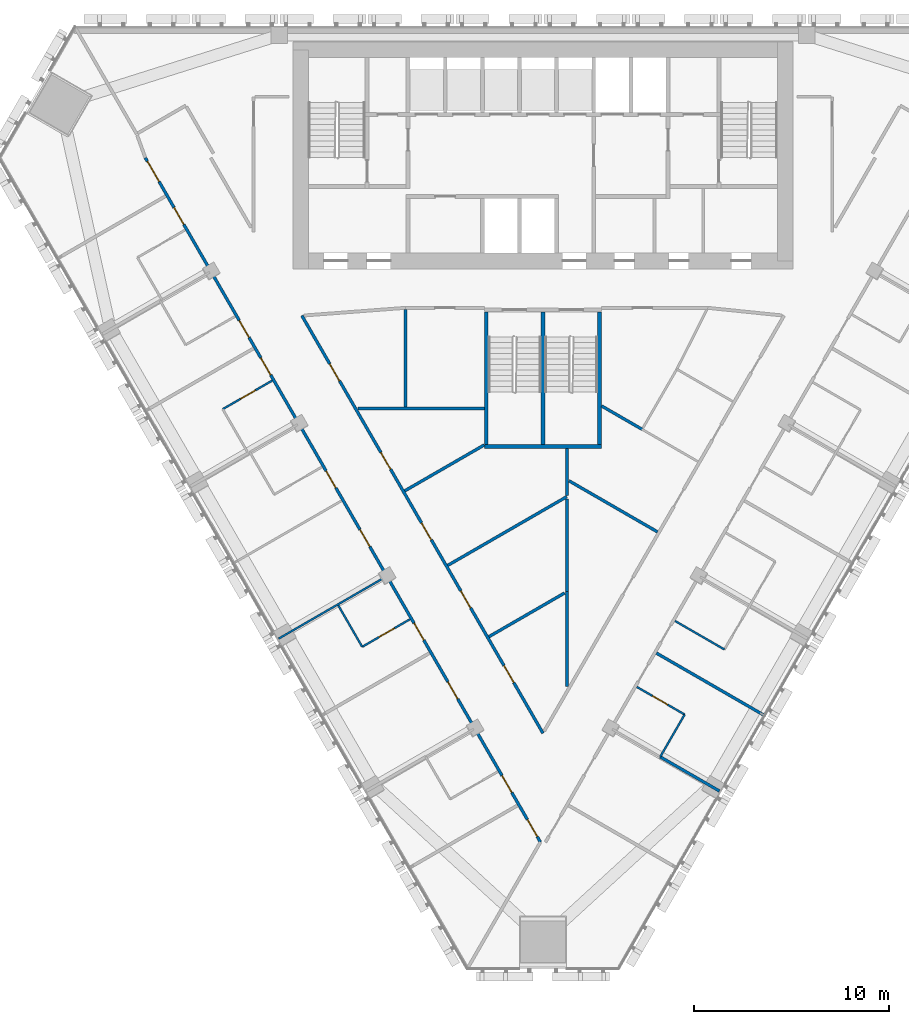
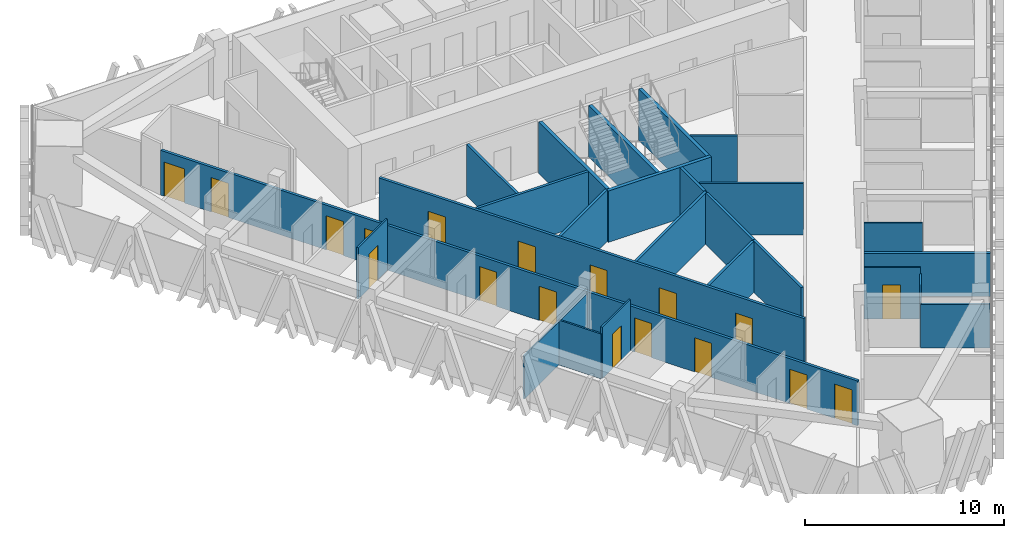
# One storey, part 9 of 16: 25 walls, 18 doors, 18 openings.
"""IFC4 building model written with IfcOpenShell, lengths in metres."""

from ifc_helpers import new_model, si_unit, direction, frame, frame_2d, origin, place, context, subcontext, project, spatial, rectangle, extrude, material, layer, layer_set, type_object, element, fill, save


model = new_model("IFC4")

# Units and contexts
model_context = context("Model", 3, precision=1e-05, world=origin(), true_north=direction((0.0, 1.0)))
body_context = subcontext(model_context, "Body", "Model", "MODEL_VIEW")
ifc_project = project(units=[si_unit("LENGTHUNIT", "METRE"), si_unit("AREAUNIT", "SQUARE_METRE"), si_unit("VOLUMEUNIT", "CUBIC_METRE"), si_unit("PLANEANGLEUNIT", "RADIAN"), si_unit("MASSUNIT", "GRAM", prefix="KILO")], contexts=[model_context])

# Site, building, storey
site_placement = place(None, origin())
site = spatial("IfcSite", under=ifc_project, at=site_placement, CompositionType="ELEMENT")
building_placement = place(site_placement, origin())
building = spatial("IfcBuilding", under=site, at=building_placement, Name="Altiplano Prism Tower", CompositionType="ELEMENT")
storey_placement = place(building_placement, frame((0.0, 0.0, 131.39990234375)))
storey = spatial("IfcBuildingStorey", under=building, at=storey_placement, Name="L33", CompositionType="ELEMENT", Elevation=131.39990234375)

# Wall, opening, door
ifc_material_1 = material(Name="Plasterboard on steel stud", Category="steel")
ifc_layer_1 = layer(ifc_material_1, 0.10009765625)
ifc_layer_set_1 = layer_set([ifc_layer_1], Name="Plasterboard on steel stud")
wall_type_1 = type_object("IfcWallType", Name="Partition 100 unit", PredefinedType="PARTITIONING", material=ifc_layer_set_1)
wall_1_placement = place(storey_placement, frame((68.6142578125, 85.41650390625, 0.0), z_axis=(0.0, 0.0, 1.0), x_axis=(0.86601045545, 0.500025890382, 0.0)))
wall_1 = element("IfcWall", 1, at=wall_1_placement, inside=storey, type_object=wall_type_1, Name="Partition P02 L33 041", PredefinedType="PARTITIONING", context=body_context, shape_type="SweptSolid", body=[
    extrude(rectangle(XDim=2.925048828125, YDim=0.10009765625, at=frame_2d((1.46240234375, 0.0))), origin(), (0.0, 0.0, 1.0), 3.150146484375),
])
opening_1_placement = place(wall_1_placement, frame((1.050048828125, 0.0, 0.0)))
opening_1 = element("IfcOpeningElement", 2, at=opening_1_placement, cuts=wall_1, Name="Opening D1191", PredefinedType="OPENING", context=body_context, shape_type="SweptSolid", body=[
    extrude(rectangle(XDim=0.89990234375, YDim=2.10009765625, at=frame_2d((0.449951171875, 1.050048828125))), frame((0.0, 0.060546875, 0.0), z_axis=(0.0, -1.0, 0.0), x_axis=(1.0, 0.0, 0.0)), (0.0, 0.0, 1.0), 0.12109375),
])
ifc_material_2 = material(Name="Timber", Category="wood")
door_type_1 = type_object("IfcDoorType", Name="Ensuite door 900 x 2100", OperationType="NOTDEFINED", PredefinedType="NOTDEFINED", material=ifc_material_2)
door_1_placement = place(opening_1_placement, origin())
door_1 = element("IfcDoor", 3, at=door_1_placement, inside=storey, type_object=door_type_1, Name="Door D1191", OperationType="SINGLE_SWING_LEFT", OverallHeight=2.10009765625, OverallWidth=0.89990234375, PredefinedType="NOTDEFINED", context=body_context, shape_type="SweptSolid", body=[
    extrude(rectangle(XDim=0.89990234375, YDim=2.10009765625, at=frame_2d((0.449951171875, 1.050048828125))), frame((0.0, 0.02490234375, 0.0), z_axis=(0.0, -1.0, 0.0), x_axis=(1.0, 0.0, 0.0)), (0.0, 0.0, 1.0), 0.050048828125),
])
fill(opening_1, door_1)

wall_2_placement = place(storey_placement, frame((78.197265625, 74.668212890625, 0.0), z_axis=(0.0, 0.0, 1.0), x_axis=(-0.865989837833, -0.500061596976, 0.0)))
wall_2 = element("IfcWall", 4, at=wall_2_placement, inside=storey, type_object=wall_type_1, Name="Partition P02 L33 048", PredefinedType="PARTITIONING", context=body_context, shape_type="SweptSolid", body=[
    extrude(rectangle(XDim=2.824951171875, YDim=0.10009765625, at=frame_2d((1.41259765625, 0.0))), origin(), (0.0, 0.0, 1.0), 3.150146484375),
])
opening_2_placement = place(wall_2_placement, frame((0.925048828125, 0.0, 0.0)))
opening_2 = element("IfcOpeningElement", 5, at=opening_2_placement, cuts=wall_2, Name="Opening D1196", PredefinedType="OPENING", context=body_context, shape_type="SweptSolid", body=[
    extrude(rectangle(XDim=0.89990234375, YDim=2.10009765625, at=frame_2d((0.449951171875, 1.050048828125))), frame((0.0, 0.060546875, 0.0), z_axis=(0.0, -1.0, 0.0), x_axis=(1.0, 0.0, 0.0)), (0.0, 0.0, 1.0), 0.12109375),
])
door_2_placement = place(opening_2_placement, origin())
door_2 = element("IfcDoor", 6, at=door_2_placement, inside=storey, type_object=door_type_1, Name="Door D1196", OperationType="SINGLE_SWING_LEFT", OverallHeight=2.10009765625, OverallWidth=0.89990234375, PredefinedType="NOTDEFINED", context=body_context, shape_type="SweptSolid", body=[
    extrude(rectangle(XDim=0.89990234375, YDim=2.10009765625, at=frame_2d((0.449951171875, 1.050048828125))), frame((0.0, 0.02490234375, 0.0), z_axis=(0.0, -1.0, 0.0), x_axis=(1.0, 0.0, 0.0)), (0.0, 0.0, 1.0), 0.050048828125),
])
fill(opening_2, door_2)

# Wall
wall_3_placement = place(storey_placement, frame((75.7509765625, 73.255615234375, 0.0), z_axis=(0.0, 0.0, 1.0), x_axis=(-0.500018594424, 0.866014668023, 0.0)))
element("IfcWall", 7, at=wall_3_placement, inside=storey, type_object=wall_type_1, Name="Partition P02 L33 049", PredefinedType="PARTITIONING", context=body_context, shape_type="SweptSolid", body=[
    extrude(rectangle(XDim=2.4501953125, YDim=0.10009765625, at=frame_2d((1.22509765625, 0.0))), origin(), (0.0, 0.0, 1.0), 2.75),
])

# Wall, opening, door
wall_4_placement = place(storey_placement, frame((89.802734375, 71.2041015625, 0.0), z_axis=(0.0, 0.0, 1.0), x_axis=(0.865989837833, -0.500061596976, 0.0)))
wall_4 = element("IfcWall", 8, at=wall_4_placement, inside=storey, type_object=wall_type_1, Name="Partition P02 L33 060", PredefinedType="PARTITIONING", context=body_context, shape_type="SweptSolid", body=[
    extrude(rectangle(XDim=2.824951171875, YDim=0.10009765625, at=frame_2d((1.41259765625, 0.0))), origin(), (0.0, 0.0, 1.0), 3.150146484375),
])
opening_3_placement = place(wall_4_placement, frame((0.925048828125, 0.0, 0.0)))
opening_3 = element("IfcOpeningElement", 9, at=opening_3_placement, cuts=wall_4, Name="Opening D1204", PredefinedType="OPENING", context=body_context, shape_type="SweptSolid", body=[
    extrude(rectangle(XDim=0.89990234375, YDim=2.10009765625, at=frame_2d((0.449951171875, 1.050048828125))), frame((0.0, 0.060546875, 0.0), z_axis=(0.0, -1.0, 0.0), x_axis=(1.0, 0.0, 0.0)), (0.0, 0.0, 1.0), 0.12109375),
])
door_3_placement = place(opening_3_placement, origin())
door_3 = element("IfcDoor", 10, at=door_3_placement, inside=storey, type_object=door_type_1, Name="Door D1204", OperationType="SINGLE_SWING_LEFT", OverallHeight=2.10009765625, OverallWidth=0.89990234375, PredefinedType="NOTDEFINED", context=body_context, shape_type="SweptSolid", body=[
    extrude(rectangle(XDim=0.89990234375, YDim=2.10009765625, at=frame_2d((0.449951171875, 1.050048828125))), frame((0.0, 0.02490234375, 0.0), z_axis=(0.0, -1.0, 0.0), x_axis=(1.0, 0.0, 0.0)), (0.0, 0.0, 1.0), 0.050048828125),
])
fill(opening_3, door_3)

# Walls
wall_5_placement = place(storey_placement, frame((92.2490234375, 69.79150390625, 0.0), z_axis=(0.0, 0.0, 1.0), x_axis=(-0.500004234368, -0.866022959057, 0.0)))
element("IfcWall", 11, at=wall_5_placement, inside=storey, type_object=wall_type_1, Name="Partition P02 L33 061", PredefinedType="PARTITIONING", context=body_context, shape_type="SweptSolid", body=[
    extrude(rectangle(XDim=2.5, YDim=0.10009765625, at=frame_2d((1.25, 0.0))), origin(), (0.0, 0.0, 1.0), 2.75),
])
wall_6_placement = place(storey_placement, frame((94.28564453125, 73.119140625, 0.0), z_axis=(0.0, 0.0, 1.0), x_axis=(-0.866025730634, 0.499999433879, 0.0)))
element("IfcWall", 12, at=wall_6_placement, inside=storey, type_object=wall_type_1, Name="Partition P02 L33 063", PredefinedType="PARTITIONING", context=body_context, shape_type="SweptSolid", body=[
    extrude(rectangle(XDim=2.9248046875, YDim=0.10009765625, at=frame_2d((1.46240234375, 0.0))), origin(), (0.0, 0.0, 1.0), 3.150146484375),
])
ifc_layer_2 = layer(ifc_material_1, 0.10009765625)
ifc_layer_set_2 = layer_set([ifc_layer_2], Name="Plasterboard on steel stud")
wall_type_2 = type_object("IfcWallType", Name="Partition 100 wet", PredefinedType="PARTITIONING", material=ifc_layer_set_2)
wall_7_placement = place(storey_placement, frame((71.4697265625, 73.670654296875, 0.0), z_axis=(0.0, 0.0, 1.0), x_axis=(0.866015887322, 0.500016482634, 0.0)))
element("IfcWall", 13, at=wall_7_placement, inside=storey, type_object=wall_type_2, Name="Partition P03 L33 047", PredefinedType="PARTITIONING", context=body_context, shape_type="SweptSolid", body=[
    extrude(rectangle(XDim=6.324951171875, YDim=0.10009765625, at=frame_2d((3.16259765625, 0.0))), origin(), (0.0, 0.0, 1.0), 2.650146484375),
])

# Wall, openings, doors
ifc_layer_3 = layer(ifc_material_1, 0.14990234375)
ifc_layer_set_3 = layer_set([ifc_layer_3], Name="Plasterboard on steel stud")
wall_type_3 = type_object("IfcWallType", Name="Partition 150 corridor", PredefinedType="PARTITIONING", material=ifc_layer_set_3)
wall_8_placement = place(storey_placement, frame((85.0, 68.835693359375, 0.0), z_axis=(0.0, 0.0, 1.0), x_axis=(-0.500001726771, 0.86602440683, 0.0)))
wall_8 = element("IfcWall", 14, at=wall_8_placement, inside=storey, type_object=wall_type_3, Name="Partition P06 L33 002", PredefinedType="PARTITIONING", context=body_context, shape_type="SweptSolid", body=[
    extrude(rectangle(XDim=24.66943359375, YDim=0.14990234375, at=frame_2d((12.334716796875, 0.0))), origin(), (0.0, 0.0, 1.0), 3.150146484375),
])
opening_4_placement = place(wall_8_placement, frame((2.989990234375, 0.0, 0.0)))
opening_4 = element("IfcOpeningElement", 15, at=opening_4_placement, cuts=wall_8, Name="Opening D1181", PredefinedType="OPENING", context=body_context, shape_type="SweptSolid", body=[
    extrude(rectangle(XDim=1.0, YDim=2.10009765625, at=frame_2d((0.5, 1.050048828125))), frame((0.0, 0.08544921875, 0.0), z_axis=(0.0, -1.0, 0.0), x_axis=(1.0, 0.0, 0.0)), (0.0, 0.0, 1.0), 0.1708984375),
])
opening_5_placement = place(wall_8_placement, frame((15.595947265625, 0.0, 0.0)))
opening_5 = element("IfcOpeningElement", 16, at=opening_5_placement, cuts=wall_8, Name="Opening D1182", PredefinedType="OPENING", context=body_context, shape_type="SweptSolid", body=[
    extrude(rectangle(XDim=1.0, YDim=2.10009765625, at=frame_2d((0.5, 1.050048828125))), frame((0.0, 0.08544921875, 0.0), z_axis=(0.0, -1.0, 0.0), x_axis=(1.0, 0.0, 0.0)), (0.0, 0.0, 1.0), 0.1708984375),
])
opening_6_placement = place(wall_8_placement, frame((20.822021484375, 0.0, 0.0)))
opening_6 = element("IfcOpeningElement", 17, at=opening_6_placement, cuts=wall_8, Name="Opening D1183", PredefinedType="OPENING", context=body_context, shape_type="SweptSolid", body=[
    extrude(rectangle(XDim=1.0, YDim=2.10009765625, at=frame_2d((0.5, 1.050048828125))), frame((0.0, 0.08544921875, 0.0), z_axis=(0.0, -1.0, 0.0), x_axis=(1.0, 0.0, 0.0)), (0.0, 0.0, 1.0), 0.1708984375),
])
opening_7_placement = place(wall_8_placement, frame((11.429931640625, 0.0, 0.0)))
opening_7 = element("IfcOpeningElement", 18, at=opening_7_placement, cuts=wall_8, Name="Opening D1218", PredefinedType="OPENING", context=body_context, shape_type="SweptSolid", body=[
    extrude(rectangle(XDim=1.0, YDim=2.10009765625, at=frame_2d((0.5, 1.050048828125))), frame((0.0, 0.08544921875, 0.0), z_axis=(0.0, -1.0, 0.0), x_axis=(1.0, 0.0, 0.0)), (0.0, 0.0, 1.0), 0.1708984375),
])
opening_8_placement = place(wall_8_placement, frame((7.409912109375, 0.0, 0.0)))
opening_8 = element("IfcOpeningElement", 19, at=opening_8_placement, cuts=wall_8, Name="Opening D1220", PredefinedType="OPENING", context=body_context, shape_type="SweptSolid", body=[
    extrude(rectangle(XDim=1.0, YDim=2.10009765625, at=frame_2d((0.5, 1.050048828125))), frame((0.0, 0.08544921875, 0.0), z_axis=(0.0, -1.0, 0.0), x_axis=(1.0, 0.0, 0.0)), (0.0, 0.0, 1.0), 0.1708984375),
])
door_type_2 = type_object("IfcDoorType", Name="Room door 1000 x 2100", OperationType="NOTDEFINED", PredefinedType="NOTDEFINED", material=ifc_material_2)
door_4_placement = place(opening_7_placement, origin())
door_4 = element("IfcDoor", 20, at=door_4_placement, inside=storey, type_object=door_type_2, Name="Door D1218", OperationType="SINGLE_SWING_RIGHT", OverallHeight=2.10009765625, OverallWidth=1.0, PredefinedType="NOTDEFINED", context=body_context, shape_type="SweptSolid", body=[
    extrude(rectangle(XDim=1.0, YDim=2.10009765625, at=frame_2d((0.5, 1.050048828125))), frame((0.0, 0.02490234375, 0.0), z_axis=(0.0, -1.0, 0.0), x_axis=(1.0, 0.0, 0.0)), (0.0, 0.0, 1.0), 0.050048828125),
])
fill(opening_7, door_4)
door_5_placement = place(opening_8_placement, origin())
door_5 = element("IfcDoor", 21, at=door_5_placement, inside=storey, type_object=door_type_2, Name="Door D1220", OperationType="SINGLE_SWING_RIGHT", OverallHeight=2.10009765625, OverallWidth=1.0, PredefinedType="NOTDEFINED", context=body_context, shape_type="SweptSolid", body=[
    extrude(rectangle(XDim=1.0, YDim=2.10009765625, at=frame_2d((0.5, 1.050048828125))), frame((0.0, 0.02490234375, 0.0), z_axis=(0.0, -1.0, 0.0), x_axis=(1.0, 0.0, 0.0)), (0.0, 0.0, 1.0), 0.050048828125),
])
fill(opening_8, door_5)
door_type_3 = type_object("IfcDoorType", Name="Store door 1000 x 2100", OperationType="NOTDEFINED", PredefinedType="NOTDEFINED", material=ifc_material_2)
door_6_placement = place(opening_4_placement, origin())
door_6 = element("IfcDoor", 22, at=door_6_placement, inside=storey, type_object=door_type_3, Name="Door D1181", OperationType="SINGLE_SWING_RIGHT", OverallHeight=2.10009765625, OverallWidth=1.0, PredefinedType="NOTDEFINED", context=body_context, shape_type="SweptSolid", body=[
    extrude(rectangle(XDim=1.0, YDim=2.10009765625, at=frame_2d((0.5, 1.050048828125))), frame((0.0, 0.02490234375, 0.0), z_axis=(0.0, -1.0, 0.0), x_axis=(1.0, 0.0, 0.0)), (0.0, 0.0, 1.0), 0.050048828125),
])
fill(opening_4, door_6)
door_7_placement = place(opening_5_placement, origin())
door_7 = element("IfcDoor", 23, at=door_7_placement, inside=storey, type_object=door_type_3, Name="Door D1182", OperationType="SINGLE_SWING_LEFT", OverallHeight=2.10009765625, OverallWidth=1.0, PredefinedType="NOTDEFINED", context=body_context, shape_type="SweptSolid", body=[
    extrude(rectangle(XDim=1.0, YDim=2.10009765625, at=frame_2d((0.5, 1.050048828125))), frame((0.0, 0.02490234375, 0.0), z_axis=(0.0, -1.0, 0.0), x_axis=(1.0, 0.0, 0.0)), (0.0, 0.0, 1.0), 0.050048828125),
])
fill(opening_5, door_7)
door_8_placement = place(opening_6_placement, origin())
door_8 = element("IfcDoor", 24, at=door_8_placement, inside=storey, type_object=door_type_3, Name="Door D1183", OperationType="SINGLE_SWING_LEFT", OverallHeight=2.10009765625, OverallWidth=1.0, PredefinedType="NOTDEFINED", context=body_context, shape_type="SweptSolid", body=[
    extrude(rectangle(XDim=1.0, YDim=2.10009765625, at=frame_2d((0.5, 1.050048828125))), frame((0.0, 0.02490234375, 0.0), z_axis=(0.0, -1.0, 0.0), x_axis=(1.0, 0.0, 0.0)), (0.0, 0.0, 1.0), 0.050048828125),
])
fill(opening_6, door_8)

wall_9_placement = place(storey_placement, frame((64.65576171875, 98.27294921875, 0.0), z_axis=(0.0, 0.0, 1.0), x_axis=(0.500001784794, -0.866024373331, 0.0)))
wall_9 = element("IfcWall", 25, at=wall_9_placement, inside=storey, type_object=wall_type_3, Name="Partition P06 L33 006", PredefinedType="PARTITIONING", context=body_context, shape_type="SweptSolid", body=[
    extrude(rectangle(XDim=40.426025390625, YDim=0.14990234375, at=frame_2d((20.212890625, 0.0))), origin(), (0.0, 0.0, 1.0), 2.75),
])
opening_9_placement = place(wall_9_placement, frame((0.199951171875, 0.0, 0.0)))
opening_9 = element("IfcOpeningElement", 26, at=opening_9_placement, cuts=wall_9, Name="Opening D1185", PredefinedType="OPENING", context=body_context, shape_type="SweptSolid", body=[
    extrude(rectangle(XDim=1.199951171875, YDim=2.10009765625, at=frame_2d((0.60009765625, 1.050048828125))), frame((0.0, 0.08544921875, 0.0), z_axis=(0.0, -1.0, 0.0), x_axis=(1.0, 0.0, 0.0)), (0.0, 0.0, 1.0), 0.1708984375),
])
opening_10_placement = place(wall_9_placement, frame((2.93310546875, 0.0, 0.0)))
opening_10 = element("IfcOpeningElement", 27, at=opening_10_placement, cuts=wall_9, Name="Opening D1186", PredefinedType="OPENING", context=body_context, shape_type="SweptSolid", body=[
    extrude(rectangle(XDim=1.0, YDim=2.10009765625, at=frame_2d((0.5, 1.050048828125))), frame((0.0, 0.08544921875, 0.0), z_axis=(0.0, -1.0, 0.0), x_axis=(1.0, 0.0, 0.0)), (0.0, 0.0, 1.0), 0.1708984375),
])
opening_11_placement = place(wall_9_placement, frame((9.60791015625, 0.0, 0.0)))
opening_11 = element("IfcOpeningElement", 28, at=opening_11_placement, cuts=wall_9, Name="Opening D1188", PredefinedType="OPENING", context=body_context, shape_type="SweptSolid", body=[
    extrude(rectangle(XDim=1.0, YDim=2.10009765625, at=frame_2d((0.5, 1.050048828125))), frame((0.0, 0.08544921875, 0.0), z_axis=(0.0, -1.0, 0.0), x_axis=(1.0, 0.0, 0.0)), (0.0, 0.0, 1.0), 0.1708984375),
])
opening_12_placement = place(wall_9_placement, frame((11.818115234375, 0.0, 0.0)))
opening_12 = element("IfcOpeningElement", 29, at=opening_12_placement, cuts=wall_9, Name="Opening D1190", PredefinedType="OPENING", context=body_context, shape_type="SweptSolid", body=[
    extrude(rectangle(XDim=1.0, YDim=2.10009765625, at=frame_2d((0.5, 1.050048828125))), frame((0.0, 0.08544921875, 0.0), z_axis=(0.0, -1.0, 0.0), x_axis=(1.0, 0.0, 0.0)), (0.0, 0.0, 1.0), 0.1708984375),
])
opening_13_placement = place(wall_9_placement, frame((18.492919921875, 0.0, 0.0)))
opening_13 = element("IfcOpeningElement", 30, at=opening_13_placement, cuts=wall_9, Name="Opening D1192", PredefinedType="OPENING", context=body_context, shape_type="SweptSolid", body=[
    extrude(rectangle(XDim=1.0, YDim=2.10009765625, at=frame_2d((0.5, 1.050048828125))), frame((0.0, 0.08544921875, 0.0), z_axis=(0.0, -1.0, 0.0), x_axis=(1.0, 0.0, 0.0)), (0.0, 0.0, 1.0), 0.1708984375),
])
opening_14_placement = place(wall_9_placement, frame((21.962890625, 0.0, 0.0)))
opening_14 = element("IfcOpeningElement", 31, at=opening_14_placement, cuts=wall_9, Name="Opening D1194", PredefinedType="OPENING", context=body_context, shape_type="SweptSolid", body=[
    extrude(rectangle(XDim=1.0, YDim=2.10009765625, at=frame_2d((0.5, 1.050048828125))), frame((0.0, 0.08544921875, 0.0), z_axis=(0.0, -1.0, 0.0), x_axis=(1.0, 0.0, 0.0)), (0.0, 0.0, 1.0), 0.1708984375),
])
opening_15_placement = place(wall_9_placement, frame((27.492919921875, 0.0, 0.0)))
opening_15 = element("IfcOpeningElement", 32, at=opening_15_placement, cuts=wall_9, Name="Opening D1195", PredefinedType="OPENING", context=body_context, shape_type="SweptSolid", body=[
    extrude(rectangle(XDim=1.0, YDim=2.10009765625, at=frame_2d((0.5, 1.050048828125))), frame((0.0, 0.08544921875, 0.0), z_axis=(0.0, -1.0, 0.0), x_axis=(1.0, 0.0, 0.0)), (0.0, 0.0, 1.0), 0.1708984375),
])
opening_16_placement = place(wall_9_placement, frame((30.962890625, 0.0, 0.0)))
opening_16 = element("IfcOpeningElement", 33, at=opening_16_placement, cuts=wall_9, Name="Opening D1197", PredefinedType="OPENING", context=body_context, shape_type="SweptSolid", body=[
    extrude(rectangle(XDim=1.0, YDim=2.10009765625, at=frame_2d((0.5, 1.050048828125))), frame((0.0, 0.08544921875, 0.0), z_axis=(0.0, -1.0, 0.0), x_axis=(1.0, 0.0, 0.0)), (0.0, 0.0, 1.0), 0.1708984375),
])
opening_17_placement = place(wall_9_placement, frame((36.492919921875, 0.0, 0.0)))
opening_17 = element("IfcOpeningElement", 34, at=opening_17_placement, cuts=wall_9, Name="Opening D1198", PredefinedType="OPENING", context=body_context, shape_type="SweptSolid", body=[
    extrude(rectangle(XDim=1.0, YDim=2.10009765625, at=frame_2d((0.5, 1.050048828125))), frame((0.0, 0.08544921875, 0.0), z_axis=(0.0, -1.0, 0.0), x_axis=(1.0, 0.0, 0.0)), (0.0, 0.0, 1.0), 0.1708984375),
])
opening_18_placement = place(wall_9_placement, frame((39.10107421875, 0.0, 0.0)))
opening_18 = element("IfcOpeningElement", 35, at=opening_18_placement, cuts=wall_9, Name="Opening D1200", PredefinedType="OPENING", context=body_context, shape_type="SweptSolid", body=[
    extrude(rectangle(XDim=1.0, YDim=2.10009765625, at=frame_2d((0.5, 1.050048828125))), frame((0.0, 0.08544921875, 0.0), z_axis=(0.0, -1.0, 0.0), x_axis=(1.0, 0.0, 0.0)), (0.0, 0.0, 1.0), 0.1708984375),
])
door_type_4 = type_object("IfcDoorType", Name="Bedroom entrance door 1000 x 2100", OperationType="NOTDEFINED", PredefinedType="NOTDEFINED", material=ifc_material_2)
door_9_placement = place(opening_10_placement, origin())
door_9 = element("IfcDoor", 36, at=door_9_placement, inside=storey, type_object=door_type_4, Name="Door D1186", OperationType="SINGLE_SWING_RIGHT", OverallHeight=2.10009765625, OverallWidth=1.0, PredefinedType="NOTDEFINED", context=body_context, shape_type="SweptSolid", body=[
    extrude(rectangle(XDim=1.0, YDim=2.10009765625, at=frame_2d((0.5, 1.050048828125))), frame((0.0, 0.02490234375, 0.0), z_axis=(0.0, -1.0, 0.0), x_axis=(1.0, 0.0, 0.0)), (0.0, 0.0, 1.0), 0.050048828125),
])
fill(opening_10, door_9)
door_10_placement = place(opening_11_placement, origin())
door_10 = element("IfcDoor", 37, at=door_10_placement, inside=storey, type_object=door_type_4, Name="Door D1188", OperationType="SINGLE_SWING_RIGHT", OverallHeight=2.10009765625, OverallWidth=1.0, PredefinedType="NOTDEFINED", context=body_context, shape_type="SweptSolid", body=[
    extrude(rectangle(XDim=1.0, YDim=2.10009765625, at=frame_2d((0.5, 1.050048828125))), frame((0.0, 0.02490234375, 0.0), z_axis=(0.0, -1.0, 0.0), x_axis=(1.0, 0.0, 0.0)), (0.0, 0.0, 1.0), 0.050048828125),
])
fill(opening_11, door_10)
door_11_placement = place(opening_12_placement, origin())
door_11 = element("IfcDoor", 38, at=door_11_placement, inside=storey, type_object=door_type_4, Name="Door D1190", OperationType="SINGLE_SWING_LEFT", OverallHeight=2.10009765625, OverallWidth=1.0, PredefinedType="NOTDEFINED", context=body_context, shape_type="SweptSolid", body=[
    extrude(rectangle(XDim=1.0, YDim=2.10009765625, at=frame_2d((0.5, 1.050048828125))), frame((0.0, 0.02490234375, 0.0), z_axis=(0.0, -1.0, 0.0), x_axis=(1.0, 0.0, 0.0)), (0.0, 0.0, 1.0), 0.050048828125),
])
fill(opening_12, door_11)
door_12_placement = place(opening_13_placement, origin())
door_12 = element("IfcDoor", 39, at=door_12_placement, inside=storey, type_object=door_type_4, Name="Door D1192", OperationType="SINGLE_SWING_LEFT", OverallHeight=2.10009765625, OverallWidth=1.0, PredefinedType="NOTDEFINED", context=body_context, shape_type="SweptSolid", body=[
    extrude(rectangle(XDim=1.0, YDim=2.10009765625, at=frame_2d((0.5, 1.050048828125))), frame((0.0, 0.02490234375, 0.0), z_axis=(0.0, -1.0, 0.0), x_axis=(1.0, 0.0, 0.0)), (0.0, 0.0, 1.0), 0.050048828125),
])
fill(opening_13, door_12)
door_13_placement = place(opening_15_placement, origin())
door_13 = element("IfcDoor", 40, at=door_13_placement, inside=storey, type_object=door_type_4, Name="Door D1195", OperationType="SINGLE_SWING_RIGHT", OverallHeight=2.10009765625, OverallWidth=1.0, PredefinedType="NOTDEFINED", context=body_context, shape_type="SweptSolid", body=[
    extrude(rectangle(XDim=1.0, YDim=2.10009765625, at=frame_2d((0.5, 1.050048828125))), frame((0.0, 0.02490234375, 0.0), z_axis=(0.0, -1.0, 0.0), x_axis=(1.0, 0.0, 0.0)), (0.0, 0.0, 1.0), 0.050048828125),
])
fill(opening_15, door_13)
door_14_placement = place(opening_17_placement, origin())
door_14 = element("IfcDoor", 41, at=door_14_placement, inside=storey, type_object=door_type_4, Name="Door D1198", OperationType="SINGLE_SWING_RIGHT", OverallHeight=2.10009765625, OverallWidth=1.0, PredefinedType="NOTDEFINED", context=body_context, shape_type="SweptSolid", body=[
    extrude(rectangle(XDim=1.0, YDim=2.10009765625, at=frame_2d((0.5, 1.050048828125))), frame((0.0, 0.02490234375, 0.0), z_axis=(0.0, -1.0, 0.0), x_axis=(1.0, 0.0, 0.0)), (0.0, 0.0, 1.0), 0.050048828125),
])
fill(opening_17, door_14)
door_15_placement = place(opening_14_placement, origin())
door_15 = element("IfcDoor", 42, at=door_15_placement, inside=storey, type_object=door_type_2, Name="Door D1194", OperationType="SINGLE_SWING_RIGHT", OverallHeight=2.10009765625, OverallWidth=1.0, PredefinedType="NOTDEFINED", context=body_context, shape_type="SweptSolid", body=[
    extrude(rectangle(XDim=1.0, YDim=2.10009765625, at=frame_2d((0.5, 1.050048828125))), frame((0.0, 0.02490234375, 0.0), z_axis=(0.0, -1.0, 0.0), x_axis=(1.0, 0.0, 0.0)), (0.0, 0.0, 1.0), 0.050048828125),
])
fill(opening_14, door_15)
door_16_placement = place(opening_16_placement, origin())
door_16 = element("IfcDoor", 43, at=door_16_placement, inside=storey, type_object=door_type_2, Name="Door D1197", OperationType="SINGLE_SWING_RIGHT", OverallHeight=2.10009765625, OverallWidth=1.0, PredefinedType="NOTDEFINED", context=body_context, shape_type="SweptSolid", body=[
    extrude(rectangle(XDim=1.0, YDim=2.10009765625, at=frame_2d((0.5, 1.050048828125))), frame((0.0, 0.02490234375, 0.0), z_axis=(0.0, -1.0, 0.0), x_axis=(1.0, 0.0, 0.0)), (0.0, 0.0, 1.0), 0.050048828125),
])
fill(opening_16, door_16)
door_17_placement = place(opening_18_placement, origin())
door_17 = element("IfcDoor", 44, at=door_17_placement, inside=storey, type_object=door_type_2, Name="Door D1200", OperationType="SINGLE_SWING_LEFT", OverallHeight=2.10009765625, OverallWidth=1.0, PredefinedType="NOTDEFINED", context=body_context, shape_type="SweptSolid", body=[
    extrude(rectangle(XDim=1.0, YDim=2.10009765625, at=frame_2d((0.5, 1.050048828125))), frame((0.0, 0.02490234375, 0.0), z_axis=(0.0, -1.0, 0.0), x_axis=(1.0, 0.0, 0.0)), (0.0, 0.0, 1.0), 0.050048828125),
])
fill(opening_18, door_17)
door_type_5 = type_object("IfcDoorType", Name="Shared room door 1200 x 2100", OperationType="NOTDEFINED", PredefinedType="NOTDEFINED", material=ifc_material_2)
door_18_placement = place(opening_9_placement, origin())
door_18 = element("IfcDoor", 45, at=door_18_placement, inside=storey, type_object=door_type_5, Name="Door D1185", OperationType="SINGLE_SWING_RIGHT", OverallHeight=2.10009765625, OverallWidth=1.199951171875, PredefinedType="NOTDEFINED", context=body_context, shape_type="SweptSolid", body=[
    extrude(rectangle(XDim=1.199951171875, YDim=2.10009765625, at=frame_2d((0.60009765625, 1.050048828125))), frame((0.0, 0.02490234375, 0.0), z_axis=(0.0, -1.0, 0.0), x_axis=(1.0, 0.0, 0.0)), (0.0, 0.0, 1.0), 0.050048828125),
])
fill(opening_9, door_18)

# Walls
ifc_layer_4 = layer(ifc_material_1, 0.14990234375)
ifc_layer_set_4 = layer_set([ifc_layer_4], Name="Plasterboard on steel stud")
wall_type_4 = type_object("IfcWallType", Name="Partition 150 party", PredefinedType="PARTITIONING", material=ifc_layer_set_4)
wall_10_placement = place(storey_placement, frame((86.221923828125, 71.23193359375, 0.0), z_axis=(0.0, 0.0, 1.0), x_axis=(0.0, 1.0, 0.0)))
element("IfcWall", 46, at=wall_10_placement, inside=storey, type_object=wall_type_4, Name="Partition P01 L33 026", PredefinedType="PARTITIONING", context=body_context, shape_type="SweptSolid", body=[
    extrude(rectangle(XDim=4.8642578125, YDim=0.14990234375, at=frame_2d((2.43212890625, 0.0))), origin(), (0.0, 0.0, 1.0), 3.150146484375),
])
wall_11_placement = place(storey_placement, frame((86.109375, 76.01123046875, 0.0), z_axis=(0.0, 0.0, 1.0), x_axis=(-0.866024728453, -0.500001169707, 0.0)))
element("IfcWall", 47, at=wall_11_placement, inside=storey, type_object=wall_type_4, Name="Partition P01 L33 027", PredefinedType="PARTITIONING", context=body_context, shape_type="SweptSolid", body=[
    extrude(rectangle(XDim=4.4736328125, YDim=0.14990234375, at=frame_2d((2.23681640625, 0.0))), origin(), (0.0, 0.0, 1.0), 3.150146484375),
])
wall_12_placement = place(storey_placement, frame((82.0, 85.45068359375, 0.0), z_axis=(0.0, 0.0, 1.0), x_axis=(-1.0, 0.0, 0.0)))
element("IfcWall", 48, at=wall_12_placement, inside=storey, type_object=wall_type_4, Name="Partition P01 L33 028", PredefinedType="PARTITIONING", context=body_context, shape_type="SweptSolid", body=[
    extrude(rectangle(XDim=6.462646484375, YDim=0.14990234375, at=frame_2d((3.2314453125, 0.0))), origin(), (0.0, 0.0, 1.0), 3.150146484375),
])
wall_13_placement = place(storey_placement, frame((77.927734375, 81.235107421875, 0.0), z_axis=(0.0, 0.0, 1.0), x_axis=(0.866029956157, 0.499992114976, 0.0)))
element("IfcWall", 49, at=wall_13_placement, inside=storey, type_object=wall_type_4, Name="Partition P01 L33 029", PredefinedType="PARTITIONING", context=body_context, shape_type="SweptSolid", body=[
    extrude(rectangle(XDim=4.7021484375, YDim=0.14990234375, at=frame_2d((2.35107421875, 0.0))), origin(), (0.0, 0.0, 1.0), 3.150146484375),
])
wall_14_placement = place(storey_placement, frame((77.958984375, 85.525634765625, 0.0), z_axis=(0.0, 0.0, 1.0), x_axis=(0.0, 1.0, 0.0)))
element("IfcWall", 50, at=wall_14_placement, inside=storey, type_object=wall_type_4, Name="Partition P01 L33 030", PredefinedType="PARTITIONING", context=body_context, shape_type="SweptSolid", body=[
    extrude(rectangle(XDim=4.992431640625, YDim=0.14990234375, at=frame_2d((2.49609375, 0.0))), origin(), (0.0, 0.0, 1.0), 3.150146484375),
])
wall_15_placement = place(storey_placement, frame((94.0302734375, 65.87646484375, 0.0), z_axis=(0.0, 0.0, 1.0), x_axis=(-0.866036909293, 0.499980071345, 0.0)))
element("IfcWall", 51, at=wall_15_placement, inside=storey, type_object=wall_type_4, Name="Partition P01 L33 058", PredefinedType="PARTITIONING", context=body_context, shape_type="SweptSolid", body=[
    extrude(rectangle(XDim=3.500244140625, YDim=0.14990234375, at=frame_2d((1.75, 0.0))), origin(), (0.0, 0.0, 1.0), 2.650146484375),
])
wall_16_placement = place(storey_placement, frame((96.2978515625, 69.763427734375, 0.0), z_axis=(0.0, 0.0, 1.0), x_axis=(-0.866025401434, 0.500000004071, 0.0)))
element("IfcWall", 52, at=wall_16_placement, inside=storey, type_object=wall_type_4, Name="Partition P01 L33 062", PredefinedType="PARTITIONING", context=body_context, shape_type="SweptSolid", body=[
    extrude(rectangle(XDim=6.34521484375, YDim=0.14990234375, at=frame_2d((3.172607421875, 0.0))), origin(), (0.0, 0.0, 1.0), 2.650146484375),
])
wall_17_placement = place(storey_placement, frame((80.129150390625, 77.42236328125, 0.0), z_axis=(0.0, 0.0, 1.0), x_axis=(0.866030712881, 0.499990804263, 0.0)))
element("IfcWall", 53, at=wall_17_placement, inside=storey, type_object=wall_type_4, Name="Partition P01 L33 079", PredefinedType="PARTITIONING", context=body_context, shape_type="SweptSolid", body=[
    extrude(rectangle(XDim=7.035400390625, YDim=0.14990234375, at=frame_2d((3.517578125, 0.0))), origin(), (0.0, 0.0, 1.0), 3.150146484375),
])
wall_18_placement = place(storey_placement, frame((86.221923828125, 81.0048828125, 0.0), z_axis=(0.0, 0.0, 1.0), x_axis=(0.0, 1.0, 0.0)))
element("IfcWall", 54, at=wall_18_placement, inside=storey, type_object=wall_type_4, Name="Partition P01 L33 080", PredefinedType="PARTITIONING", context=body_context, shape_type="SweptSolid", body=[
    extrude(rectangle(XDim=2.39501953125, YDim=0.14990234375, at=frame_2d((1.197509765625, 0.0))), origin(), (0.0, 0.0, 1.0), 3.150146484375),
])
wall_19_placement = place(storey_placement, frame((86.221923828125, 80.81005859375, 0.0), z_axis=(0.0, 0.0, 1.0), x_axis=(0.0, -1.0, 0.0)))
element("IfcWall", 55, at=wall_19_placement, inside=storey, type_object=wall_type_4, Name="Partition P01 L33 081", PredefinedType="PARTITIONING", context=body_context, shape_type="SweptSolid", body=[
    extrude(rectangle(XDim=4.73388671875, YDim=0.14990234375, at=frame_2d((2.366943359375, 0.0))), origin(), (0.0, 0.0, 1.0), 3.150146484375),
])
wall_20_placement = place(storey_placement, frame((90.8603515625, 79.135986328125, 0.0), z_axis=(0.0, 0.0, 1.0), x_axis=(-0.866023771128, 0.500002827834, 0.0)))
element("IfcWall", 56, at=wall_20_placement, inside=storey, type_object=wall_type_4, Name="Partition P01 L33 082", PredefinedType="PARTITIONING", context=body_context, shape_type="SweptSolid", body=[
    extrude(rectangle(XDim=5.22607421875, YDim=0.14990234375, at=frame_2d((2.613037109375, 0.0))), origin(), (0.0, 0.0, 1.0), 3.150146484375),
])
wall_21_placement = place(storey_placement, frame((90.073486328125, 84.383056640625, 0.0), z_axis=(0.0, 0.0, 1.0), x_axis=(-0.866044647487, 0.499966667447, 0.0)))
element("IfcWall", 57, at=wall_21_placement, inside=storey, type_object=wall_type_4, Name="Partition P01 L33 083", PredefinedType="PARTITIONING", context=body_context, shape_type="SweptSolid", body=[
    extrude(rectangle(XDim=2.394287109375, YDim=0.14990234375, at=frame_2d((1.197265625, 0.0))), origin(), (0.0, 0.0, 1.0), 3.150146484375),
])
ifc_material_3 = material(Name="Concrete C60/75", Category="concrete")
ifc_layer_5 = layer(ifc_material_3, 0.199951171875)
ifc_layer_set_5 = layer_set([ifc_layer_5], Name="Concrete C60/75")
wall_type_5 = type_object("IfcWallType", Name="Stair wall 200", PredefinedType="SOLIDWALL", material=ifc_layer_set_5)
wall_22_placement = place(storey_placement, frame((82.0, 83.5, 0.0), z_axis=(0.0, 0.0, 1.0), x_axis=(1.0, 0.0, 0.0)))
element("IfcWall", 58, at=wall_22_placement, inside=storey, type_object=wall_type_5, Name="Stair 3 wall south L33", PredefinedType="SOLIDWALL", context=body_context, shape_type="SweptSolid", body=[
    extrude(rectangle(XDim=6.0, YDim=0.199951171875, at=frame_2d((3.0, 0.0))), origin(), (0.0, 0.0, 1.0), 3.150146484375),
])
for number, where, z_axis, x_axis, name in (
    (59, (82.10009765625, 83.60009765625, 0.0), (0.0, 0.0, 1.0), (0.0, 1.0, 0.0), "Stair 3 wall west L33"),
    (60, (87.89990234375, 83.60009765625, 0.0), (0.0, 0.0, 1.0), (0.0, 1.0, 0.0), "Stair 3 wall east L33"),
    (61, (85.0, 83.60009765625, 0.0), (0.0, 0.0, 1.0), (0.0, 1.0, 0.0), "Stair 3 wall divider L33"),
):
    element("IfcWall", number, at=place(storey_placement, frame(where, z_axis=z_axis, x_axis=x_axis)), inside=storey, type_object=wall_type_5, Name=name, PredefinedType="SOLIDWALL", context=body_context, shape_type="SweptSolid", body=[
        extrude(rectangle(XDim=6.7998046875, YDim=0.199951171875, at=frame_2d((3.39990234375, 0.0))), origin(), (0.0, 0.0, 1.0), 3.150146484375),
    ])

save(model, "model.ifc")
